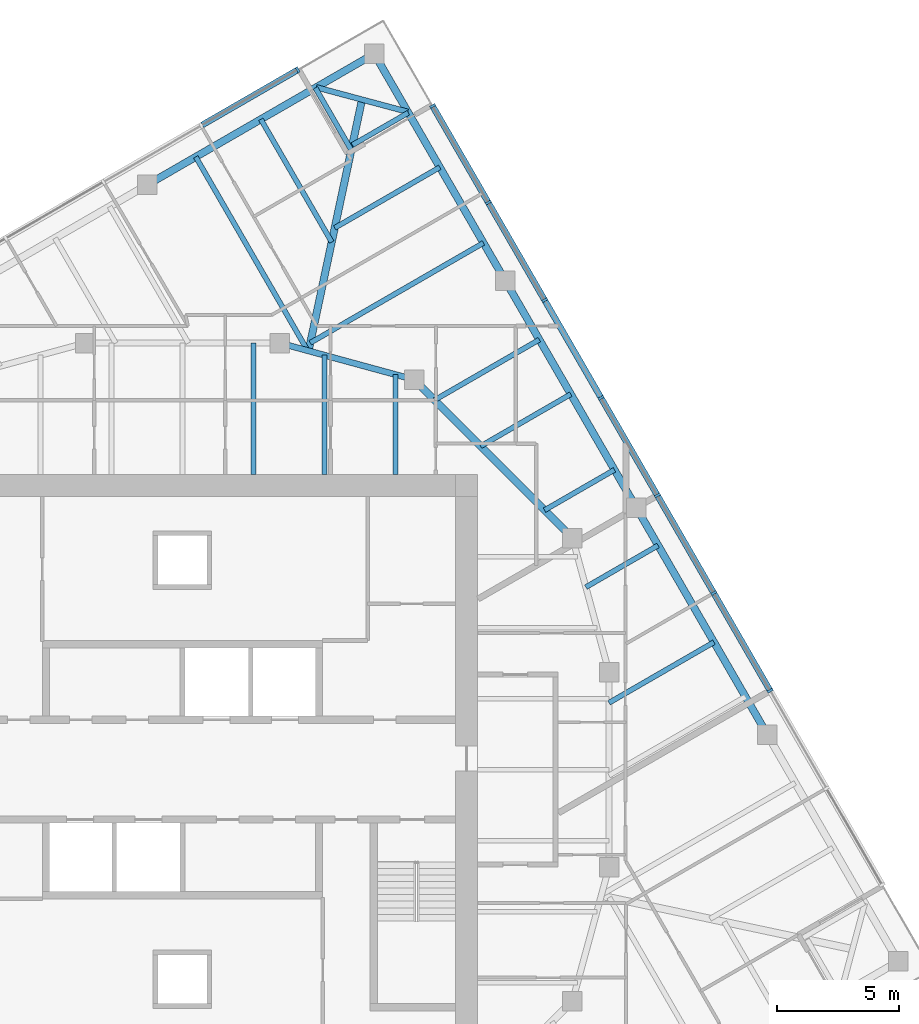
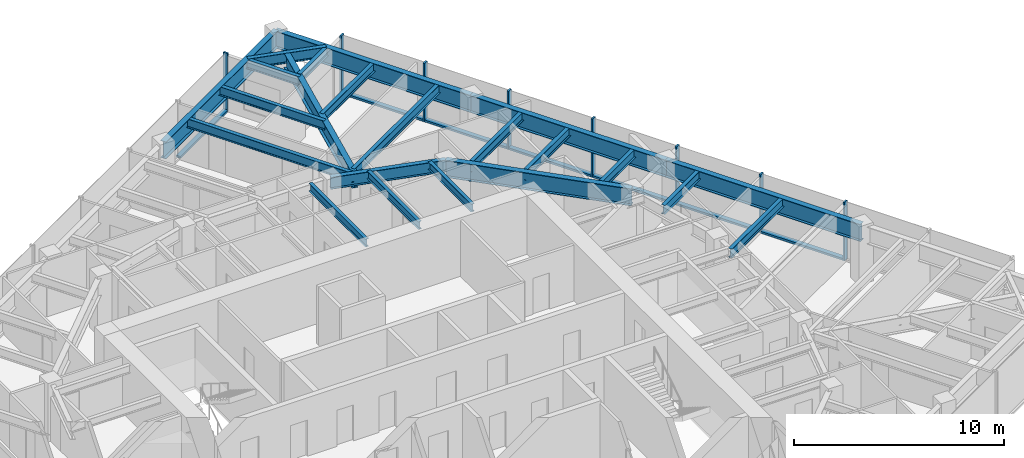
# One storey, part 5 of 13: 22 beams, 15 members, 2 elements without a shape of their own.
"""IFC4 building model written with IfcOpenShell, lengths in metres."""

from ifc_helpers import new_model, si_unit, direction, frame, origin, origin_2d, place, context, subcontext, project, spatial, rectangle, i_section, extrude, material, material_profile, profile_set, type_object, element, aggregate, save


model = new_model("IFC4")

# Units and contexts
model_context = context("Model", 3, precision=1e-05, world=origin(), true_north=direction((0.0, 1.0)))
body_context = subcontext(model_context, "Body", "Model", "MODEL_VIEW")
ifc_project = project(units=[si_unit("LENGTHUNIT", "METRE"), si_unit("AREAUNIT", "SQUARE_METRE"), si_unit("VOLUMEUNIT", "CUBIC_METRE"), si_unit("PLANEANGLEUNIT", "RADIAN"), si_unit("MASSUNIT", "GRAM", prefix="KILO")], contexts=[model_context])

# Site, building, storey
site_placement = place(None, origin())
site = spatial("IfcSite", under=ifc_project, at=site_placement, CompositionType="ELEMENT")
building_placement = place(site_placement, origin())
building = spatial("IfcBuilding", under=site, at=building_placement, Name="Torsade Residences", CompositionType="ELEMENT")
storey_placement = place(building_placement, frame((0.0, 0.0, 228.60009765625)))
storey = spatial("IfcBuildingStorey", under=building, at=storey_placement, Name="L63", CompositionType="ELEMENT", Elevation=228.60009765625)

# Beams
ifc_material_1 = material(Name="Steel grade 300", Category="steel")
ifc_material_profile_1 = material_profile(ifc_material_1, i_section(OverallWidth=0.300048828125, OverallDepth=0.89990234375, WebThickness=0.011962890625, FlangeThickness=0.02490234375, at=origin_2d()), Name="900WB175")
ifc_profile_set_1 = profile_set([ifc_material_profile_1], Name="Steel grade 300")
beam_type_1 = type_object("IfcBeamType", Name="CORNER GIRDER 900WB175", PredefinedType="BEAM", material=ifc_profile_set_1)
beam_1_placement = place(storey_placement, frame((47.3662109375, 57.4912109375, 2.7998046875), z_axis=(-0.20806427425, -0.978115155685, 0.0), x_axis=(0.978115155685, -0.20806427425, 0.0)))
element("IfcBeam", 1, at=beam_1_placement, inside=storey, type_object=beam_type_1, Name="Corner girder 09 L64", PredefinedType="BEAM", context=body_context, shape_type="SweptSolid", body=[
    extrude(i_section(OverallWidth=0.300048828125, OverallDepth=0.89990234375, WebThickness=0.011962890625, FlangeThickness=0.02490234375, at=origin_2d()), origin(), (0.0, 0.0, 1.0), 10.541748046875),
])
ifc_material_2 = material(Name="Steel grade 300", Category="steel")
ifc_material_profile_2 = material_profile(ifc_material_2, i_section(OverallWidth=0.22802734375, OverallDepth=0.60205078125, WebThickness=0.010498046875, FlangeThickness=0.014892578125, FilletRadius=0.013916015625, at=origin_2d()), Name="610UB101")
ifc_profile_set_2 = profile_set([ifc_material_profile_2], Name="Steel grade 300")
beam_type_2 = type_object("IfcBeamType", Name="CORNER TRIMMER 610UB101", PredefinedType="BEAM", material=ifc_profile_set_2)
beam_2_placement = place(storey_placement, frame((45.488037109375, 57.99462890625, 2.948974609375), z_axis=(0.965924794002, -0.258822897619, 0.0), x_axis=(0.258822897619, 0.965924794002, 0.0)))
element("IfcBeam", 2, at=beam_2_placement, inside=storey, type_object=beam_type_2, Name="Corner trimmer 09 L64", PredefinedType="BEAM", context=body_context, shape_type="SweptSolid", body=[
    extrude(i_section(OverallWidth=0.22802734375, OverallDepth=0.60205078125, WebThickness=0.010498046875, FlangeThickness=0.014892578125, FilletRadius=0.013916015625, at=origin_2d()), origin(), (0.0, 0.0, 1.0), 3.88916015625),
])
ifc_material_3 = material(Name="Steel grade 300", Category="steel")
ifc_material_profile_3 = material_profile(ifc_material_3, i_section(OverallWidth=0.300048828125, OverallDepth=1.0, WebThickness=0.01611328125, FlangeThickness=0.028076171875, at=origin_2d()), Name="1000WB215")
ifc_profile_set_3 = profile_set([ifc_material_profile_3], Name="Steel grade 300")
beam_type_3 = type_object("IfcBeamType", Name="EDGE BEAM 1000WB215", PredefinedType="SPANDREL", material=ifc_profile_set_3)
for number, where, z_axis, x_axis, name in (
    (3, (63.99462890625, 31.440185546875, 2.75), (-0.499998333915, 0.866026365697, 0.0), (-0.866026365697, -0.499998333915, 0.0), "Edge beam 06 L64"),
    (4, (58.61962890625, 40.75, 2.75), (-0.499998333915, 0.866026365697, 0.0), (-0.866026365697, -0.499998333915, 0.0), "Edge beam 07 L64"),
    (5, (53.24462890625, 50.059814453125, 2.75), (-0.499998333915, 0.866026365697, 0.0), (-0.866026365697, -0.499998333915, 0.0), "Edge beam 08 L64"),
    (6, (47.86962890625, 59.36962890625, 2.75), (-0.866026365697, -0.499998333915, 0.0), (0.499998333915, -0.866026365697, 0.0), "Edge beam 09 L64"),
):
    element("IfcBeam", number, at=place(storey_placement, frame(where, z_axis=z_axis, x_axis=x_axis)), inside=storey, type_object=beam_type_3, Name=name, PredefinedType="SPANDREL", context=body_context, shape_type="SweptSolid", body=[
        extrude(i_section(OverallWidth=0.300048828125, OverallDepth=1.0, WebThickness=0.01611328125, FlangeThickness=0.028076171875, at=origin_2d()), origin(), (0.0, 0.0, 1.0), 10.75),
    ])

# Curtain wall, members
ifc_material_4 = material(Name="Aluminium and glass", Category="aluminium")
curtain_wall_type = type_object("IfcCurtainWallType", Name="FRITTED GLASS CURTAIN WALL HIGH ZONE", PredefinedType="NOTDEFINED", material=ifc_material_4)
curtain_wall_1_placement = place(storey_placement, origin())
curtain_wall_1 = element("IfcCurtainWall", 7, at=curtain_wall_1_placement, inside=storey, type_object=curtain_wall_type, Name="Curtain wall L63 face 4", PredefinedType="NOTDEFINED")
ifc_material_5 = material(Name="Aluminium mullion", Category="aluminium")
ifc_material_profile_4 = material_profile(ifc_material_5, rectangle(XDim=0.25, YDim=0.10009765625, at=origin_2d()), Name="HIGH ZONE CURTAIN WALL MULLION 250x100")
ifc_profile_set_4 = profile_set([ifc_material_profile_4], Name="Aluminium mullion")
member_type_1 = type_object("IfcMemberType", Name="HIGH ZONE CURTAIN WALL MULLION 250x100", PredefinedType="MULLION", material=ifc_profile_set_4)
member_1_placement = place(storey_placement, frame((64.110595703125, 33.2392578125, 0.0), z_axis=(0.0, 0.0, 1.0), x_axis=(-0.866025404186, -0.499999999305, 0.0)))
member_1 = element("IfcMember", 8, at=member_1_placement, type_object=member_type_1, Name="Mullion 3", PredefinedType="MULLION", context=body_context, shape_type="SweptSolid", body=[
    extrude(rectangle(XDim=0.25, YDim=0.10009765625, at=origin_2d()), origin(), (0.0, 0.0, 1.0), 3.39990234375),
])
member_2_placement = place(storey_placement, frame((61.798095703125, 37.24462890625, 0.0), z_axis=(0.0, 0.0, 1.0), x_axis=(-0.866025404186, -0.499999999305, 0.0)))
member_2 = element("IfcMember", 9, at=member_2_placement, type_object=member_type_1, Name="Mullion 4", PredefinedType="MULLION", context=body_context, shape_type="SweptSolid", body=[
    extrude(rectangle(XDim=0.25, YDim=0.10009765625, at=origin_2d()), origin(), (0.0, 0.0, 1.0), 3.39990234375),
])
member_3_placement = place(storey_placement, frame((59.485595703125, 41.25, 0.0), z_axis=(0.0, 0.0, 1.0), x_axis=(-0.866025404186, -0.499999999305, 0.0)))
member_3 = element("IfcMember", 10, at=member_3_placement, type_object=member_type_1, Name="Mullion 5", PredefinedType="MULLION", context=body_context, shape_type="SweptSolid", body=[
    extrude(rectangle(XDim=0.25, YDim=0.10009765625, at=origin_2d()), origin(), (0.0, 0.0, 1.0), 3.39990234375),
])
member_4_placement = place(storey_placement, frame((57.173095703125, 45.25537109375, 0.0), z_axis=(0.0, 0.0, 1.0), x_axis=(-0.866025404186, -0.499999999305, 0.0)))
member_4 = element("IfcMember", 11, at=member_4_placement, type_object=member_type_1, Name="Mullion 6", PredefinedType="MULLION", context=body_context, shape_type="SweptSolid", body=[
    extrude(rectangle(XDim=0.25, YDim=0.10009765625, at=origin_2d()), origin(), (0.0, 0.0, 1.0), 3.39990234375),
])
member_5_placement = place(storey_placement, frame((54.860595703125, 49.2607421875, 0.0), z_axis=(0.0, 0.0, 1.0), x_axis=(-0.866025404186, -0.499999999305, 0.0)))
member_5 = element("IfcMember", 12, at=member_5_placement, type_object=member_type_1, Name="Mullion 7", PredefinedType="MULLION", context=body_context, shape_type="SweptSolid", body=[
    extrude(rectangle(XDim=0.25, YDim=0.10009765625, at=origin_2d()), origin(), (0.0, 0.0, 1.0), 3.39990234375),
])
member_6_placement = place(storey_placement, frame((52.548095703125, 53.26611328125, 0.0), z_axis=(0.0, 0.0, 1.0), x_axis=(-0.866025404186, -0.499999999305, 0.0)))
member_6 = element("IfcMember", 13, at=member_6_placement, type_object=member_type_1, Name="Mullion 8", PredefinedType="MULLION", context=body_context, shape_type="SweptSolid", body=[
    extrude(rectangle(XDim=0.25, YDim=0.10009765625, at=origin_2d()), origin(), (0.0, 0.0, 1.0), 3.39990234375),
])
member_7_placement = place(storey_placement, frame((50.260498046875, 57.228271484375, 0.0), z_axis=(0.0, 0.0, 1.0), x_axis=(-0.866025404186, -0.499999999305, 0.0)))
member_7 = element("IfcMember", 14, at=member_7_placement, type_object=member_type_1, Name="Mullion 9", PredefinedType="MULLION", context=body_context, shape_type="SweptSolid", body=[
    extrude(rectangle(XDim=0.25, YDim=0.10009765625, at=origin_2d()), origin(), (0.0, 0.0, 1.0), 3.39990234375),
])

# Curtain wall, member
curtain_wall_2_placement = place(storey_placement, origin())
curtain_wall_2 = element("IfcCurtainWall", 15, at=curtain_wall_2_placement, inside=storey, type_object=curtain_wall_type, Name="Curtain wall L63 face 7", PredefinedType="NOTDEFINED")
member_8_placement = place(storey_placement, frame((44.728271484375, 58.710693359375, 0.0), z_axis=(0.0, 0.0, 1.0), x_axis=(0.499999999305, -0.866025404186, 0.0)))
member_8 = element("IfcMember", 16, at=member_8_placement, type_object=member_type_1, Name="Mullion 1", PredefinedType="MULLION", context=body_context, shape_type="SweptSolid", body=[
    extrude(rectangle(XDim=0.25, YDim=0.10009765625, at=origin_2d()), origin(), (0.0, 0.0, 1.0), 3.39990234375),
])

# Member
ifc_material_6 = material(Name="Aluminium transom", Category="aluminium")
ifc_material_profile_5 = material_profile(ifc_material_6, rectangle(XDim=0.25, YDim=0.1201171875, at=origin_2d()), Name="HIGH ZONE CURTAIN WALL TRANSOM 250x120")
ifc_profile_set_5 = profile_set([ifc_material_profile_5], Name="Aluminium transom")
member_type_2 = type_object("IfcMemberType", Name="HIGH ZONE CURTAIN WALL TRANSOM 250x120", PredefinedType="USERDEFINED", material=ifc_profile_set_5)
member_9_placement = place(storey_placement, frame((64.085693359375, 33.282470703125, 0.059814453125), z_axis=(-0.500015112013, 0.866016678684, 0.0), x_axis=(-0.866016678684, -0.500015112013, 0.0)))
member_9 = element("IfcMember", 17, at=member_9_placement, type_object=member_type_2, Name="Transom 3.1", ObjectType="TRANSOM", PredefinedType="USERDEFINED", context=body_context, shape_type="SweptSolid", body=[
    extrude(rectangle(XDim=0.25, YDim=0.1201171875, at=origin_2d()), origin(), (0.0, 0.0, 1.0), 4.525146484375),
])

member_10_placement = place(storey_placement, frame((61.773193359375, 37.287841796875, 0.059814453125), z_axis=(-0.500015112013, 0.866016678684, 0.0), x_axis=(-0.866016678684, -0.500015112013, 0.0)))
member_10 = element("IfcMember", 18, at=member_10_placement, type_object=member_type_2, Name="Transom 4.1", ObjectType="TRANSOM", PredefinedType="USERDEFINED", context=body_context, shape_type="SweptSolid", body=[
    extrude(rectangle(XDim=0.25, YDim=0.1201171875, at=origin_2d()), origin(), (0.0, 0.0, 1.0), 4.525146484375),
])

member_11_placement = place(storey_placement, frame((59.460693359375, 41.293212890625, 0.059814453125), z_axis=(-0.500015112013, 0.866016678684, 0.0), x_axis=(-0.866016678684, -0.500015112013, 0.0)))
member_11 = element("IfcMember", 19, at=member_11_placement, type_object=member_type_2, Name="Transom 5.1", ObjectType="TRANSOM", PredefinedType="USERDEFINED", context=body_context, shape_type="SweptSolid", body=[
    extrude(rectangle(XDim=0.25, YDim=0.1201171875, at=origin_2d()), origin(), (0.0, 0.0, 1.0), 4.525146484375),
])

member_12_placement = place(storey_placement, frame((57.148193359375, 45.298583984375, 0.059814453125), z_axis=(-0.500015112013, 0.866016678684, 0.0), x_axis=(-0.866016678684, -0.500015112013, 0.0)))
member_12 = element("IfcMember", 20, at=member_12_placement, type_object=member_type_2, Name="Transom 6.1", ObjectType="TRANSOM", PredefinedType="USERDEFINED", context=body_context, shape_type="SweptSolid", body=[
    extrude(rectangle(XDim=0.25, YDim=0.1201171875, at=origin_2d()), origin(), (0.0, 0.0, 1.0), 4.525146484375),
])

member_13_placement = place(storey_placement, frame((54.835693359375, 49.303955078125, 0.059814453125), z_axis=(-0.500015112013, 0.866016678684, 0.0), x_axis=(-0.866016678684, -0.500015112013, 0.0)))
member_13 = element("IfcMember", 21, at=member_13_placement, type_object=member_type_2, Name="Transom 7.1", ObjectType="TRANSOM", PredefinedType="USERDEFINED", context=body_context, shape_type="SweptSolid", body=[
    extrude(rectangle(XDim=0.25, YDim=0.1201171875, at=origin_2d()), origin(), (0.0, 0.0, 1.0), 4.525146484375),
])

member_14_placement = place(storey_placement, frame((52.523193359375, 53.309326171875, 0.059814453125), z_axis=(-0.50000580312, 0.866022053326, 0.0), x_axis=(-0.866022053326, -0.50000580312, 0.0)))
member_14 = element("IfcMember", 22, at=member_14_placement, type_object=member_type_2, Name="Transom 8.1", ObjectType="TRANSOM", PredefinedType="USERDEFINED", context=body_context, shape_type="SweptSolid", body=[
    extrude(rectangle(XDim=0.25, YDim=0.1201171875, at=origin_2d()), origin(), (0.0, 0.0, 1.0), 4.47509765625),
])

aggregate(curtain_wall_1, [member_1, member_2, member_3, member_4, member_5, member_6, member_7, member_9, member_10, member_11, member_12, member_13, member_14])

member_15_placement = place(storey_placement, frame((44.684814453125, 58.685546875, 0.059814453125), z_axis=(-0.866022053326, -0.50000580312, 0.0), x_axis=(0.50000580312, -0.866022053326, 0.0)))
member_15 = element("IfcMember", 23, at=member_15_placement, type_object=member_type_2, Name="Transom 1.1", ObjectType="TRANSOM", PredefinedType="USERDEFINED", context=body_context, shape_type="SweptSolid", body=[
    extrude(rectangle(XDim=0.25, YDim=0.1201171875, at=origin_2d()), origin(), (0.0, 0.0, 1.0), 4.47509765625),
])

aggregate(curtain_wall_2, [member_8, member_15])

# Beams
ifc_material_7 = material(Name="Steel grade 300", Category="steel")
ifc_material_profile_6 = material_profile(ifc_material_7, i_section(OverallWidth=0.18994140625, OverallDepth=0.4541015625, WebThickness=0.008544921875, FlangeThickness=0.0126953125, FilletRadius=0.011474609375, at=origin_2d()), Name="460UB67.1")
ifc_profile_set_6 = profile_set([ifc_material_profile_6], Name="Steel grade 300")
beam_type_4 = type_object("IfcBeamType", Name="INNER FLOOR BEAM 460UB67.1", PredefinedType="JOIST", material=ifc_profile_set_6)
beam_3_placement = place(storey_placement, frame((42.91259765625, 42.10009765625, 3.02294921875), z_axis=(0.0, 1.0, 0.0), x_axis=(-1.0, 0.0, 0.0)))
element("IfcBeam", 24, at=beam_3_placement, inside=storey, type_object=beam_type_4, Name="Inner floor beam IN05 L64", PredefinedType="JOIST", context=body_context, shape_type="SweptSolid", body=[
    extrude(i_section(OverallWidth=0.18994140625, OverallDepth=0.4541015625, WebThickness=0.008544921875, FlangeThickness=0.0126953125, FilletRadius=0.011474609375, at=origin_2d()), origin(), (0.0, 0.0, 1.0), 5.39990234375),
])
beam_4_placement = place(storey_placement, frame((45.824951171875, 42.10009765625, 3.02294921875), z_axis=(0.0, 1.0, 0.0), x_axis=(-1.0, 0.0, 0.0)))
element("IfcBeam", 25, at=beam_4_placement, inside=storey, type_object=beam_type_4, Name="Inner floor beam IN06 L64", PredefinedType="JOIST", context=body_context, shape_type="SweptSolid", body=[
    extrude(i_section(OverallWidth=0.18994140625, OverallDepth=0.4541015625, WebThickness=0.008544921875, FlangeThickness=0.0126953125, FilletRadius=0.011474609375, at=origin_2d()), origin(), (0.0, 0.0, 1.0), 4.902099609375),
])
beam_5_placement = place(storey_placement, frame((48.737548828125, 42.10009765625, 3.02294921875), z_axis=(0.0, 1.0, 0.0), x_axis=(-1.0, 0.0, 0.0)))
element("IfcBeam", 26, at=beam_5_placement, inside=storey, type_object=beam_type_4, Name="Inner floor beam IN07 L64", PredefinedType="JOIST", context=body_context, shape_type="SweptSolid", body=[
    extrude(i_section(OverallWidth=0.18994140625, OverallDepth=0.4541015625, WebThickness=0.008544921875, FlangeThickness=0.0126953125, FilletRadius=0.011474609375, at=origin_2d()), origin(), (0.0, 0.0, 1.0), 4.10791015625),
])
ifc_material_8 = material(Name="Steel grade 300", Category="steel")
ifc_material_profile_7 = material_profile(ifc_material_8, i_section(OverallWidth=0.300048828125, OverallDepth=1.0, WebThickness=0.01611328125, FlangeThickness=0.028076171875, at=origin_2d()), Name="1000WB215")
ifc_profile_set_7 = profile_set([ifc_material_profile_7], Name="Steel grade 300")
beam_type_5 = type_object("IfcBeamType", Name="RING CORNER GIRDER 1000WB215", PredefinedType="BEAM", material=ifc_profile_set_7)
beam_6_placement = place(storey_placement, frame((56.0, 39.5, 2.75), z_axis=(-0.707106781187, 0.707106781187, 0.0), x_axis=(-0.707106781187, -0.707106781187, 0.0)))
element("IfcBeam", 27, at=beam_6_placement, inside=storey, type_object=beam_type_5, Name="Ring girder IR03 L64", PredefinedType="BEAM", context=body_context, shape_type="SweptSolid", body=[
    extrude(i_section(OverallWidth=0.300048828125, OverallDepth=1.0, WebThickness=0.01611328125, FlangeThickness=0.028076171875, at=origin_2d()), origin(), (0.0, 0.0, 1.0), 9.1923828125),
])
ifc_material_9 = material(Name="Steel grade 300", Category="steel")
ifc_material_profile_8 = material_profile(ifc_material_9, i_section(OverallWidth=0.25, OverallDepth=0.699951171875, WebThickness=0.010009765625, FlangeThickness=0.02001953125, at=origin_2d()), Name="700WB130")
ifc_profile_set_8 = profile_set([ifc_material_profile_8], Name="Steel grade 300")
beam_type_6 = type_object("IfcBeamType", Name="RING GIRDER 700WB130", PredefinedType="BEAM", material=ifc_profile_set_8)
beam_7_placement = place(storey_placement, frame((49.5, 46.0, 2.89990234375), z_axis=(-0.964763821238, 0.263117405792, 0.0), x_axis=(-0.263117405792, -0.964763821238, 0.0)))
element("IfcBeam", 28, at=beam_7_placement, inside=storey, type_object=beam_type_6, Name="Ring girder IR04 L64", PredefinedType="BEAM", context=body_context, shape_type="SweptSolid", body=[
    extrude(i_section(OverallWidth=0.25, OverallDepth=0.699951171875, WebThickness=0.010009765625, FlangeThickness=0.02001953125, at=origin_2d()), origin(), (0.0, 0.0, 1.0), 5.700927734375),
])
ifc_material_10 = material(Name="Steel grade 300", Category="steel")
ifc_material_profile_9 = material_profile(ifc_material_10, i_section(OverallWidth=0.208984375, OverallDepth=0.528076171875, WebThickness=0.009521484375, FlangeThickness=0.01318359375, FilletRadius=0.013916015625, at=origin_2d()), Name="530UB82.0")
ifc_profile_set_9 = profile_set([ifc_material_profile_9], Name="Steel grade 300")
beam_type_7 = type_object("IfcBeamType", Name="SECONDARY BEAM 530UB82.0", PredefinedType="JOIST", material=ifc_profile_set_9)
beam_8_placement = place(storey_placement, frame((61.80712890625, 35.22900390625, 2.98583984375), z_axis=(-0.866038443216, -0.499977414361, 0.0), x_axis=(0.499977414361, -0.866038443216, 0.0)))
element("IfcBeam", 29, at=beam_8_placement, inside=storey, type_object=beam_type_7, Name="Floor beam FE05 L64", PredefinedType="JOIST", context=body_context, shape_type="SweptSolid", body=[
    extrude(i_section(OverallWidth=0.208984375, OverallDepth=0.528076171875, WebThickness=0.009521484375, FlangeThickness=0.01318359375, FilletRadius=0.013916015625, at=origin_2d()), origin(), (0.0, 0.0, 1.0), 4.973388671875),
])
beam_9_placement = place(storey_placement, frame((59.515380859375, 39.198486328125, 2.98583984375), z_axis=(-0.866001587311, -0.500041249073, 0.0), x_axis=(0.500041249073, -0.866001587311, 0.0)))
element("IfcBeam", 30, at=beam_9_placement, inside=storey, type_object=beam_type_7, Name="Floor beam FE06 L64", PredefinedType="JOIST", context=body_context, shape_type="SweptSolid", body=[
    extrude(i_section(OverallWidth=0.208984375, OverallDepth=0.528076171875, WebThickness=0.009521484375, FlangeThickness=0.01318359375, FilletRadius=0.013916015625, at=origin_2d()), origin(), (0.0, 0.0, 1.0), 3.425048828125),
])
beam_10_placement = place(storey_placement, frame((57.7236328125, 42.301513671875, 2.98583984375), z_axis=(-0.866039541186, -0.499975512502, 0.0), x_axis=(0.499975512502, -0.866039541186, 0.0)))
element("IfcBeam", 31, at=beam_10_placement, inside=storey, type_object=beam_type_7, Name="Floor beam FE07 L64", PredefinedType="JOIST", context=body_context, shape_type="SweptSolid", body=[
    extrude(i_section(OverallWidth=0.208984375, OverallDepth=0.528076171875, WebThickness=0.009521484375, FlangeThickness=0.01318359375, FilletRadius=0.013916015625, at=origin_2d()), origin(), (0.0, 0.0, 1.0), 3.312744140625),
])
beam_11_placement = place(storey_placement, frame((55.93212890625, 45.40478515625, 2.98583984375), z_axis=(-0.866022880939, -0.500004369671, 0.0), x_axis=(0.500004369671, -0.866022880939, 0.0)))
element("IfcBeam", 32, at=beam_11_placement, inside=storey, type_object=beam_type_7, Name="Floor beam FE08 L64", PredefinedType="JOIST", context=body_context, shape_type="SweptSolid", body=[
    extrude(i_section(OverallWidth=0.208984375, OverallDepth=0.528076171875, WebThickness=0.009521484375, FlangeThickness=0.01318359375, FilletRadius=0.013916015625, at=origin_2d()), origin(), (0.0, 0.0, 1.0), 4.27294921875),
])
beam_12_placement = place(storey_placement, frame((54.640380859375, 47.64208984375, 2.98583984375), z_axis=(-0.866043933037, -0.49996790502, 0.0), x_axis=(0.49996790502, -0.866043933037, 0.0)))
element("IfcBeam", 33, at=beam_12_placement, inside=storey, type_object=beam_type_7, Name="Floor beam FE09 L64", PredefinedType="JOIST", context=body_context, shape_type="SweptSolid", body=[
    extrude(i_section(OverallWidth=0.208984375, OverallDepth=0.528076171875, WebThickness=0.009521484375, FlangeThickness=0.01318359375, FilletRadius=0.013916015625, at=origin_2d()), origin(), (0.0, 0.0, 1.0), 4.965087890625),
])
beam_13_placement = place(storey_placement, frame((52.3486328125, 51.611328125, 2.98583984375), z_axis=(-0.866030002502, -0.499992034702, 0.0), x_axis=(0.499992034702, -0.866030002502, 0.0)))
element("IfcBeam", 34, at=beam_13_placement, inside=storey, type_object=beam_type_7, Name="Floor beam FE10 L64", PredefinedType="JOIST", context=body_context, shape_type="SweptSolid", body=[
    extrude(i_section(OverallWidth=0.208984375, OverallDepth=0.528076171875, WebThickness=0.009521484375, FlangeThickness=0.01318359375, FilletRadius=0.013916015625, at=origin_2d()), origin(), (0.0, 0.0, 1.0), 8.205322265625),
])
beam_14_placement = place(storey_placement, frame((50.55712890625, 54.714599609375, 2.98583984375), z_axis=(-0.866043477274, -0.499968694491, 0.0), x_axis=(0.499968694491, -0.866043477274, 0.0)))
element("IfcBeam", 35, at=beam_14_placement, inside=storey, type_object=beam_type_7, Name="Floor beam FE11 L64", PredefinedType="JOIST", context=body_context, shape_type="SweptSolid", body=[
    extrude(i_section(OverallWidth=0.208984375, OverallDepth=0.528076171875, WebThickness=0.009521484375, FlangeThickness=0.01318359375, FilletRadius=0.013916015625, at=origin_2d()), origin(), (0.0, 0.0, 1.0), 4.977783203125),
])
beam_15_placement = place(storey_placement, frame((49.265380859375, 56.951904296875, 2.98583984375), z_axis=(-0.866041431316, -0.499972238474, 0.0), x_axis=(0.499972238474, -0.866041431316, 0.0)))
element("IfcBeam", 36, at=beam_15_placement, inside=storey, type_object=beam_type_7, Name="Floor beam FE12 L64", PredefinedType="JOIST", context=body_context, shape_type="SweptSolid", body=[
    extrude(i_section(OverallWidth=0.208984375, OverallDepth=0.528076171875, WebThickness=0.009521484375, FlangeThickness=0.01318359375, FilletRadius=0.013916015625, at=origin_2d()), origin(), (0.0, 0.0, 1.0), 2.651123046875),
])
beam_16_placement = place(storey_placement, frame((45.451904296875, 57.9736328125, 2.98583984375), z_axis=(0.500014013, -0.866017313224, 0.0), x_axis=(0.866017313224, 0.500014013, 0.0)))
element("IfcBeam", 37, at=beam_16_placement, inside=storey, type_object=beam_type_7, Name="Floor beam FN01 L64", PredefinedType="JOIST", context=body_context, shape_type="SweptSolid", body=[
    extrude(i_section(OverallWidth=0.208984375, OverallDepth=0.528076171875, WebThickness=0.009521484375, FlangeThickness=0.01318359375, FilletRadius=0.013916015625, at=origin_2d()), origin(), (0.0, 0.0, 1.0), 2.94775390625),
])
beam_17_placement = place(storey_placement, frame((43.214599609375, 56.68212890625, 2.98583984375), z_axis=(0.499990133118, -0.866031100357, 0.0), x_axis=(0.866031100357, 0.499990133118, 0.0)))
element("IfcBeam", 38, at=beam_17_placement, inside=storey, type_object=beam_type_7, Name="Floor beam FN02 L64", PredefinedType="JOIST", context=body_context, shape_type="SweptSolid", body=[
    extrude(i_section(OverallWidth=0.208984375, OverallDepth=0.528076171875, WebThickness=0.009521484375, FlangeThickness=0.01318359375, FilletRadius=0.013916015625, at=origin_2d()), origin(), (0.0, 0.0, 1.0), 5.81591796875),
])
beam_18_placement = place(storey_placement, frame((40.54443359375, 55.140380859375, 2.98583984375), z_axis=(0.500006393711, -0.866021712342, 0.0), x_axis=(0.866021712342, 0.500006393711, 0.0)))
element("IfcBeam", 39, at=beam_18_placement, inside=storey, type_object=beam_type_7, Name="Floor beam FN03 L64", PredefinedType="JOIST", context=body_context, shape_type="SweptSolid", body=[
    extrude(i_section(OverallWidth=0.208984375, OverallDepth=0.528076171875, WebThickness=0.009521484375, FlangeThickness=0.01318359375, FilletRadius=0.013916015625, at=origin_2d()), origin(), (0.0, 0.0, 1.0), 9.1796875),
])

save(model, "model.ifc")
